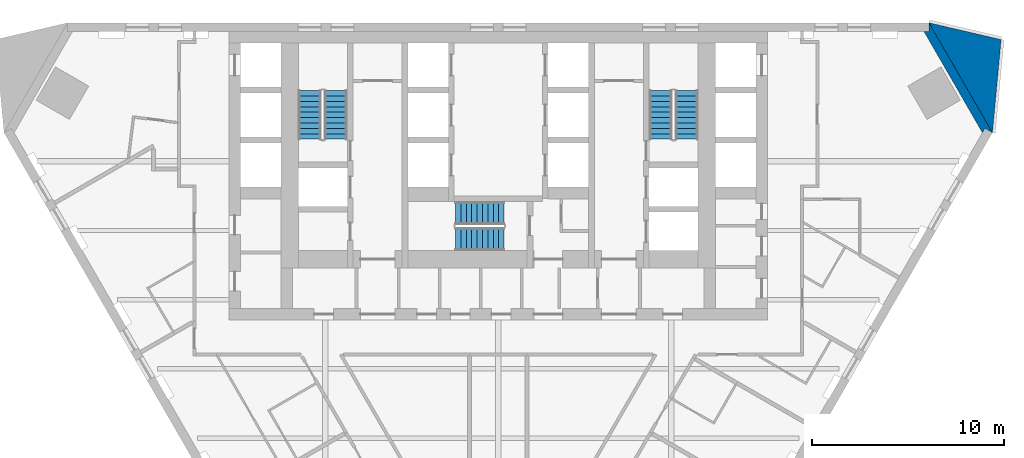
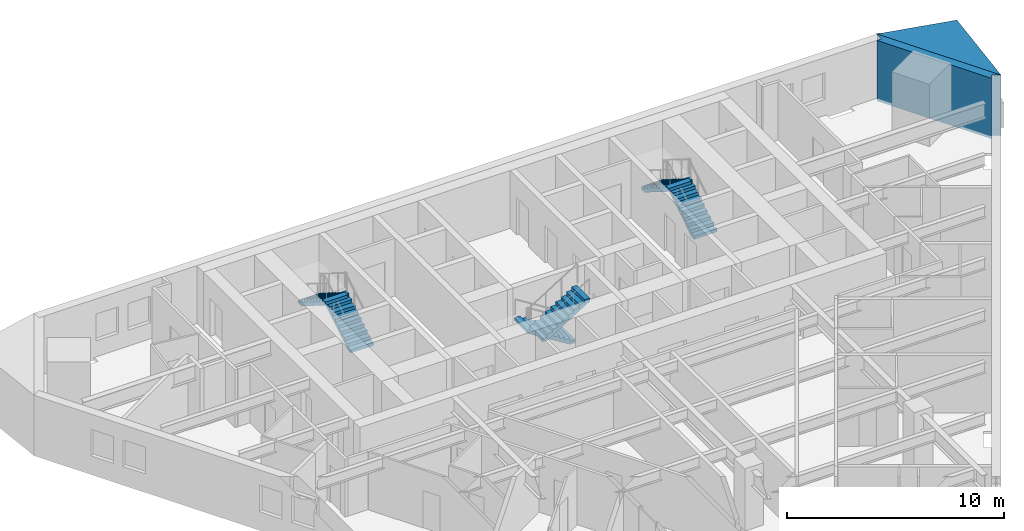
# One storey, part 8 of 10: 6 stair flights, 2 walls, 3 elements without a shape of their own.
"""IFC4 building model written with IfcOpenShell, lengths in metres."""

from ifc_helpers import new_model, si_unit, direction, frame, origin, place, context, subcontext, project, spatial, polyline, outline, extrude, material, layer, layer_set, type_object, element, aggregate, save


model = new_model("IFC4")

# Units and contexts
model_context = context("Model", 3, precision=1e-05, world=origin(), true_north=direction((0.0, 1.0)))
body_context = subcontext(model_context, "Body", "Model", "MODEL_VIEW")
ifc_project = project(units=[si_unit("LENGTHUNIT", "METRE"), si_unit("AREAUNIT", "SQUARE_METRE"), si_unit("VOLUMEUNIT", "CUBIC_METRE"), si_unit("PLANEANGLEUNIT", "RADIAN"), si_unit("MASSUNIT", "GRAM", prefix="KILO")], contexts=[model_context])

# Site, building, storey
site_placement = place(None, origin())
site = spatial("IfcSite", under=ifc_project, at=site_placement, CompositionType="ELEMENT")
building_placement = place(site_placement, origin())
building = spatial("IfcBuilding", under=site, at=building_placement, Name="Aloe Facet Convention Tower", CompositionType="ELEMENT")
storey_placement = place(building_placement, frame((0.0, 0.0, 73.5)))
storey = spatial("IfcBuildingStorey", under=building, at=storey_placement, Name="L17", CompositionType="ELEMENT", Elevation=73.5)

# Walls
ifc_material_1 = material(Name="Precast concrete C40/50", Category="concrete")
ifc_layer_1 = layer(ifc_material_1, 0.449951171875)
ifc_layer_set_1 = layer_set([ifc_layer_1], Name="EV-WALL-PIER")
wall_type_1 = type_object("IfcWallType", Name="EV-WALL-PIER", PredefinedType="SOLIDWALL", material=ifc_layer_set_1)
wall_1_placement = place(storey_placement, frame((0.0, 0.0, -0.14990234375)))
element("IfcWall", 1, at=wall_1_placement, inside=storey, type_object=wall_type_1, Name="EP-L17-C", PredefinedType="SOLIDWALL", context=body_context, shape_type="SweptSolid", body=[
    extrude(outline(polyline([(105.699951171875, 129.2841796875), (105.310302734375, 129.50927734375), (105.180419921875, 129.2841796875), (102.14013671875, 134.550048828125), (102.39990234375, 134.550048828125), (102.39990234375, 135.0), (105.699951171875, 129.2841796875)])), origin(), (0.0, 0.0, 1.0), 3.39990234375),
])
ifc_material_2 = material(Name="Precast concrete C40/50", Category="concrete")
ifc_layer_2 = layer(ifc_material_2, 3.947998046875)
ifc_layer_set_2 = layer_set([ifc_layer_2], Name="EV-WALL-SPINE")
wall_type_2 = type_object("IfcWallType", Name="EV-WALL-SPINE", PredefinedType="SOLIDWALL", material=ifc_layer_set_2)
wall_2_placement = place(storey_placement, frame((0.0, 0.0, -0.14990234375)))
element("IfcWall", 2, at=wall_2_placement, inside=storey, type_object=wall_type_2, Name="SP-NE-L17", PredefinedType="SOLIDWALL", context=body_context, shape_type="SweptSolid", body=[
    extrude(outline(polyline([(105.699951171875, 129.2841796875), (106.15185546875, 134.126953125), (102.39990234375, 135.0), (105.699951171875, 129.2841796875)])), origin(), (0.0, 0.0, 1.0), 3.39990234375),
])

# Stair, stair flights
ifc_material_3 = material(Name="Concrete C50/60", Category="concrete")
stair_type = type_object("IfcStairType", Name="CR-ST-20R", PredefinedType="HALF_TURN_STAIR", material=ifc_material_3)
stair_1_placement = place(storey_placement, origin())
stair_1 = element("IfcStair", 3, at=stair_1_placement, inside=storey, type_object=stair_type, Name="L17 Protected exit stair ST1", PredefinedType="HALF_TURN_STAIR")
ifc_material_4 = material(Name="Concrete C50/60", Category="concrete")
stair_flight_type = type_object("IfcStairFlightType", Name="CR-SFL-20R", PredefinedType="STRAIGHT", material=ifc_material_4)
stair_flight_1_placement = place(storey_placement, frame((71.550048828125, 128.949951171875, 0.0), z_axis=(0.0, 0.0, 1.0), x_axis=(0.0, 1.0, 0.0)))
stair_flight_1 = element("IfcStairFlight", 4, at=stair_flight_1_placement, type_object=stair_flight_type, Name="ST1 flight 1", NumberOfRisers=10, NumberOfTreads=9, PredefinedType="STRAIGHT", RiserHeight=0.175, TreadLength=0.28, context=body_context, shape_type="SweptSolid", body=[
    extrude(outline(polyline([(0.0, 0.0), (0.0, 0.175048828125), (0.280029296875, 0.175048828125), (0.280029296875, 0.35009765625), (0.56005859375, 0.35009765625), (0.56005859375, 0.52490234375), (0.840087890625, 0.52490234375), (0.840087890625, 0.699951171875), (1.1201171875, 0.699951171875), (1.1201171875, 0.875), (1.39990234375, 0.875), (1.39990234375, 1.050048828125), (1.679931640625, 1.050048828125), (1.679931640625, 1.22509765625), (1.9599609375, 1.22509765625), (1.9599609375, 1.39990234375), (2.239990234375, 1.39990234375), (2.239990234375, 1.574951171875), (2.52001953125, 1.574951171875), (2.52001953125, 1.75), (2.52001953125, 1.398193359375), (0.28271484375, 0.0), (0.0, 0.0)])), frame((0.0, 0.60009765625, 0.0), z_axis=(0.0, -1.0, 0.0), x_axis=(1.0, 0.0, 0.0)), (0.0, 0.0, 1.0), 1.199951171875),
])
stair_flight_2_placement = place(storey_placement, frame((70.199951171875, 131.469970703125, 1.75), z_axis=(0.0, 0.0, 1.0), x_axis=(0.0, -1.0, 0.0)))
stair_flight_2 = element("IfcStairFlight", 5, at=stair_flight_2_placement, type_object=stair_flight_type, Name="ST1 flight 2", NumberOfRisers=10, NumberOfTreads=9, PredefinedType="STRAIGHT", RiserHeight=0.175, TreadLength=0.28, context=body_context, shape_type="SweptSolid", body=[
    extrude(outline(polyline([(0.0, 0.0), (0.0, 0.175048828125), (0.280029296875, 0.175048828125), (0.280029296875, 0.35009765625), (0.56005859375, 0.35009765625), (0.56005859375, 0.52490234375), (0.840087890625, 0.52490234375), (0.840087890625, 0.699951171875), (1.1201171875, 0.699951171875), (1.1201171875, 0.875), (1.39990234375, 0.875), (1.39990234375, 1.050048828125), (1.679931640625, 1.050048828125), (1.679931640625, 1.22509765625), (1.9599609375, 1.22509765625), (1.9599609375, 1.39990234375), (2.239990234375, 1.39990234375), (2.239990234375, 1.574951171875), (2.52001953125, 1.574951171875), (2.52001953125, 1.75), (2.52001953125, 1.398193359375), (0.28271484375, 0.0), (0.0, 0.0)])), frame((0.0, 0.60009765625, 0.0), z_axis=(0.0, -1.0, 0.0), x_axis=(1.0, 0.0, 0.0)), (0.0, 0.0, 1.0), 1.199951171875),
])
aggregate(stair_1, [stair_flight_1, stair_flight_2])

stair_2_placement = place(storey_placement, origin())
stair_2 = element("IfcStair", 6, at=stair_2_placement, inside=storey, type_object=stair_type, Name="L17 Protected exit stair ST2", PredefinedType="HALF_TURN_STAIR")
stair_flight_3_placement = place(storey_placement, frame((89.800048828125, 128.949951171875, 0.0), z_axis=(0.0, 0.0, 1.0), x_axis=(0.0, 1.0, 0.0)))
stair_flight_3 = element("IfcStairFlight", 7, at=stair_flight_3_placement, type_object=stair_flight_type, Name="ST2 flight 1", NumberOfRisers=10, NumberOfTreads=9, PredefinedType="STRAIGHT", RiserHeight=0.175, TreadLength=0.28, context=body_context, shape_type="SweptSolid", body=[
    extrude(outline(polyline([(0.0, 0.0), (0.0, 0.175048828125), (0.280029296875, 0.175048828125), (0.280029296875, 0.35009765625), (0.56005859375, 0.35009765625), (0.56005859375, 0.52490234375), (0.840087890625, 0.52490234375), (0.840087890625, 0.699951171875), (1.1201171875, 0.699951171875), (1.1201171875, 0.875), (1.39990234375, 0.875), (1.39990234375, 1.050048828125), (1.679931640625, 1.050048828125), (1.679931640625, 1.22509765625), (1.9599609375, 1.22509765625), (1.9599609375, 1.39990234375), (2.239990234375, 1.39990234375), (2.239990234375, 1.574951171875), (2.52001953125, 1.574951171875), (2.52001953125, 1.75), (2.52001953125, 1.398193359375), (0.28271484375, 0.0), (0.0, 0.0)])), frame((0.0, 0.60009765625, 0.0), z_axis=(0.0, -1.0, 0.0), x_axis=(1.0, 0.0, 0.0)), (0.0, 0.0, 1.0), 1.199951171875),
])
stair_flight_4_placement = place(storey_placement, frame((88.449951171875, 131.469970703125, 1.75), z_axis=(0.0, 0.0, 1.0), x_axis=(0.0, -1.0, 0.0)))
stair_flight_4 = element("IfcStairFlight", 8, at=stair_flight_4_placement, type_object=stair_flight_type, Name="ST2 flight 2", NumberOfRisers=10, NumberOfTreads=9, PredefinedType="STRAIGHT", RiserHeight=0.175, TreadLength=0.28, context=body_context, shape_type="SweptSolid", body=[
    extrude(outline(polyline([(0.0, 0.0), (0.0, 0.175048828125), (0.280029296875, 0.175048828125), (0.280029296875, 0.35009765625), (0.56005859375, 0.35009765625), (0.56005859375, 0.52490234375), (0.840087890625, 0.52490234375), (0.840087890625, 0.699951171875), (1.1201171875, 0.699951171875), (1.1201171875, 0.875), (1.39990234375, 0.875), (1.39990234375, 1.050048828125), (1.679931640625, 1.050048828125), (1.679931640625, 1.22509765625), (1.9599609375, 1.22509765625), (1.9599609375, 1.39990234375), (2.239990234375, 1.39990234375), (2.239990234375, 1.574951171875), (2.52001953125, 1.574951171875), (2.52001953125, 1.75), (2.52001953125, 1.398193359375), (0.28271484375, 0.0), (0.0, 0.0)])), frame((0.0, 0.60009765625, 0.0), z_axis=(0.0, -1.0, 0.0), x_axis=(1.0, 0.0, 0.0)), (0.0, 0.0, 1.0), 1.199951171875),
])
aggregate(stair_2, [stair_flight_3, stair_flight_4])

stair_3_placement = place(storey_placement, origin())
stair_3 = element("IfcStair", 9, at=stair_3_placement, inside=storey, type_object=stair_type, Name="L17 Protected exit stair ST3", PredefinedType="HALF_TURN_STAIR")
stair_flight_5_placement = place(storey_placement, frame((80.300048828125, 125.10009765625, 0.0), z_axis=(0.0, 0.0, 1.0), x_axis=(-1.0, 0.0, 0.0)))
stair_flight_5 = element("IfcStairFlight", 10, at=stair_flight_5_placement, type_object=stair_flight_type, Name="ST3 flight 1", NumberOfRisers=10, NumberOfTreads=9, PredefinedType="STRAIGHT", RiserHeight=0.175, TreadLength=0.28, context=body_context, shape_type="SweptSolid", body=[
    extrude(outline(polyline([(0.0, 0.0), (0.0, 0.175048828125), (0.280029296875, 0.175048828125), (0.280029296875, 0.35009765625), (0.56005859375, 0.35009765625), (0.56005859375, 0.52490234375), (0.840087890625, 0.52490234375), (0.840087890625, 0.699951171875), (1.1201171875, 0.699951171875), (1.1201171875, 0.875), (1.39990234375, 0.875), (1.39990234375, 1.050048828125), (1.679931640625, 1.050048828125), (1.679931640625, 1.22509765625), (1.9599609375, 1.22509765625), (1.9599609375, 1.39990234375), (2.239990234375, 1.39990234375), (2.239990234375, 1.574951171875), (2.52001953125, 1.574951171875), (2.52001953125, 1.75), (2.52001953125, 1.398193359375), (0.28271484375, 0.0), (0.0, 0.0)])), frame((0.0, 0.60009765625, 0.0), z_axis=(0.0, -1.0, 0.0), x_axis=(1.0, 0.0, 0.0)), (0.0, 0.0, 1.0), 1.199951171875),
])
stair_flight_6_placement = place(storey_placement, frame((77.780029296875, 123.75, 1.75), z_axis=(0.0, 0.0, 1.0), x_axis=(1.0, 0.0, 0.0)))
stair_flight_6 = element("IfcStairFlight", 11, at=stair_flight_6_placement, type_object=stair_flight_type, Name="ST3 flight 2", NumberOfRisers=10, NumberOfTreads=9, PredefinedType="STRAIGHT", RiserHeight=0.175, TreadLength=0.28, context=body_context, shape_type="SweptSolid", body=[
    extrude(outline(polyline([(0.0, 0.0), (0.0, 0.175048828125), (0.280029296875, 0.175048828125), (0.280029296875, 0.35009765625), (0.56005859375, 0.35009765625), (0.56005859375, 0.52490234375), (0.840087890625, 0.52490234375), (0.840087890625, 0.699951171875), (1.1201171875, 0.699951171875), (1.1201171875, 0.875), (1.39990234375, 0.875), (1.39990234375, 1.050048828125), (1.679931640625, 1.050048828125), (1.679931640625, 1.22509765625), (1.9599609375, 1.22509765625), (1.9599609375, 1.39990234375), (2.239990234375, 1.39990234375), (2.239990234375, 1.574951171875), (2.52001953125, 1.574951171875), (2.52001953125, 1.75), (2.52001953125, 1.398193359375), (0.28271484375, 0.0), (0.0, 0.0)])), frame((0.0, 0.60009765625, 0.0), z_axis=(0.0, -1.0, 0.0), x_axis=(1.0, 0.0, 0.0)), (0.0, 0.0, 1.0), 1.199951171875),
])
aggregate(stair_3, [stair_flight_5, stair_flight_6])

save(model, "model.ifc")
